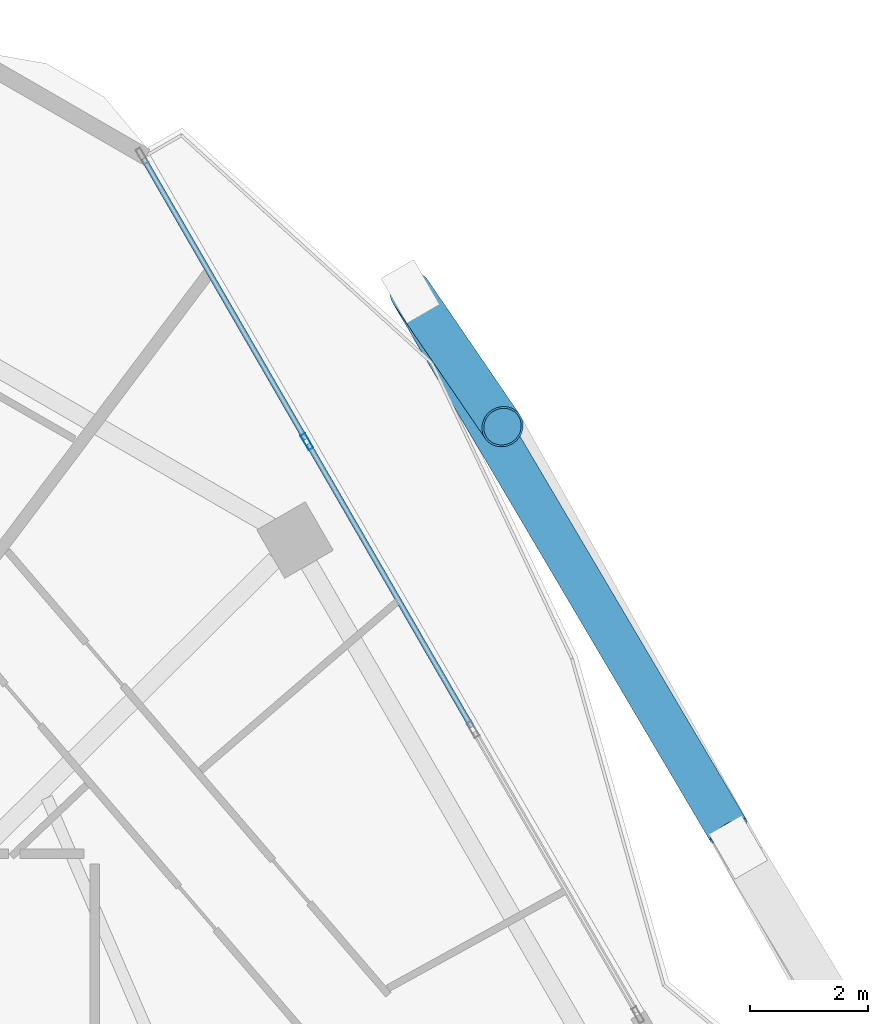
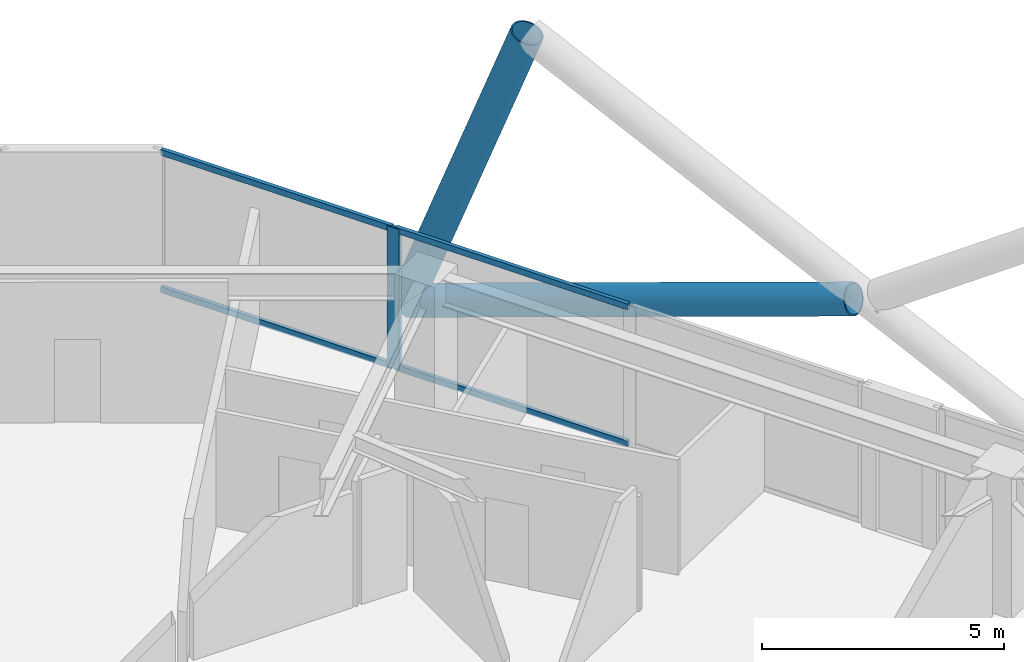
# One storey, part 19 of 29: 7 members, 1 element without a shape of its own.
"""IFC4 building model written with IfcOpenShell, lengths in metres."""

import ifcopenshell
import ifcopenshell.guid

model = None  # the IFC model being written
_history = None  # IfcOwnerHistory: only IFC2X3 demands one
_inside = {}  # id of a spatial element -> (the spatial element, [elements in it])
_under = {}  # id of a project, library or spatial element -> (it, [spatial elements below it])
_declared = {}  # id of a project -> (the project, [libraries it declares])
_typed = {}  # id of a type object -> (the type object, [elements of that type])
_made_of = {}  # id of a material, layer set ... -> (it, [elements and type objects made of it])


def new_model(schema):
    """Start an empty IFC model of exactly this schema.

    Asked for "IFC4X3", IfcOpenShell would pick the latest addendum, in which some entities
    have other attributes; the version numbers below select the first issue.
    IFC2X3 requires an IfcOwnerHistory on every rooted entity: one is made here for all.
    """
    global model, _history
    if schema == "IFC4X3":
        model = ifcopenshell.file(schema_version=(4, 3, 0, 0))
    else:
        model = ifcopenshell.file(schema=schema)
    _inside.clear()
    _under.clear()
    _declared.clear()
    _typed.clear()
    _made_of.clear()
    _history = None
    if model.schema == "IFC2X3":
        org = make("IfcOrganization", Name="unknown")
        user = make(
            "IfcPersonAndOrganization",
            ThePerson=make("IfcPerson", FamilyName="unknown"),
            TheOrganization=org,
        )
        app = make(
            "IfcApplication",
            ApplicationDeveloper=org,
            Version="unknown",
            ApplicationFullName="unknown",
            ApplicationIdentifier="unknown",
        )
        _history = make(
            "IfcOwnerHistory",
            OwningUser=user,
            OwningApplication=app,
            ChangeAction="ADDED",
            CreationDate=0,
        )
    return model


def make(cls, **values):
    """One entity of the class cls with the attributes given. An attribute that is None is left unset."""
    return model.create_entity(
        cls, **{name: value for name, value in values.items() if value is not None}
    )


def rooted(cls, **values):
    """An entity with a GlobalId (a new one), such as an element, a storey or a relation."""
    return make(cls, GlobalId=ifcopenshell.guid.new(), OwnerHistory=_history, **values)


def si_unit(unit_type, name, prefix=None):
    """IfcSIUnit, for example si_unit("LENGTHUNIT", "METRE", prefix="MILLI")."""
    return make("IfcSIUnit", UnitType=unit_type, Prefix=prefix, Name=name)


def assignment(units):
    """IfcUnitAssignment: the units of a project."""
    return None if units is None else make("IfcUnitAssignment", Units=units)


def point(xyz):
    """IfcCartesianPoint."""
    return None if xyz is None else make("IfcCartesianPoint", Coordinates=xyz)


def direction(xyz):
    """IfcDirection."""
    return None if xyz is None else make("IfcDirection", DirectionRatios=xyz)


def frame(location, z_axis=None, x_axis=None):
    """IfcAxis2Placement3D, a coordinate frame: its origin and axes. An axis left out is left unset."""
    return make(
        "IfcAxis2Placement3D",
        Location=point(location),
        Axis=direction(z_axis),
        RefDirection=direction(x_axis),
    )


def frame_2d(location, x_axis=None):
    """IfcAxis2Placement2D, a coordinate frame in the plane: its origin and x axis."""
    return make(
        "IfcAxis2Placement2D", Location=point(location), RefDirection=direction(x_axis)
    )


def origin():
    """The frame at (0, 0, 0) with its axes left unset."""
    return frame((0.0, 0.0, 0.0))


def origin_2d():
    """The frame at (0, 0) in the plane with its x axis left unset."""
    return frame_2d((0.0, 0.0))


def place(relative_to, where):
    """IfcLocalPlacement: puts the frame where relative to a parent placement (None: the world)."""
    return make(
        "IfcLocalPlacement", PlacementRelTo=relative_to, RelativePlacement=where
    )


def context(
    kind, dimensions, precision=None, world=None, true_north=None, identifier=None
):
    """IfcGeometricRepresentationContext, for example the 3D "Model" context."""
    return make(
        "IfcGeometricRepresentationContext",
        ContextIdentifier=identifier,
        ContextType=kind,
        CoordinateSpaceDimension=dimensions,
        Precision=precision,
        WorldCoordinateSystem=world,
        TrueNorth=true_north,
    )


def subcontext(parent, identifier, kind, view, scale=None):
    """IfcGeometricRepresentationSubContext, for example "Body" below "Model"."""
    return make(
        "IfcGeometricRepresentationSubContext",
        ContextIdentifier=identifier,
        ContextType=kind,
        ParentContext=parent,
        TargetScale=scale,
        TargetView=view,
    )


def project(units=None, contexts=None):
    """IfcProject with its units and contexts."""
    return rooted(
        "IfcProject",
        Name="project",
        RepresentationContexts=contexts,
        UnitsInContext=assignment(units),
    )


def spatial(cls, under=None, at=None, **own):
    """A site, building, storey or space (cls), placed at a placement, below another one or the project."""
    s = rooted(cls, ObjectPlacement=at, **own)
    if under is not None:
        _under.setdefault(under.id(), (under, []))[1].append(s)
    return s


def profile(cls, at=None, kind="AREA", **sizes):
    """A parametric profile (cls). Its sizes go by their IFC names, for example OverallWidth=200.0."""
    return make(cls, ProfileType=kind, Position=at, **sizes)


def hollow_rectangle(**sizes):
    """IfcRectangleHollowProfileDef."""
    return profile("IfcRectangleHollowProfileDef", **sizes)


def hollow_circle(**sizes):
    """IfcCircleHollowProfileDef."""
    return profile("IfcCircleHollowProfileDef", **sizes)


def extrude(swept, where, along, depth):
    """IfcExtrudedAreaSolid: the profile swept, set in the frame where, extruded along a direction by depth."""
    return make(
        "IfcExtrudedAreaSolid",
        SweptArea=swept,
        Position=where,
        ExtrudedDirection=direction(along),
        Depth=depth,
    )


def shape(context_of_items, identifier, shape_type, items):
    """IfcShapeRepresentation: the items that make up one representation, for example the "Body"."""
    return make(
        "IfcShapeRepresentation",
        ContextOfItems=context_of_items,
        RepresentationIdentifier=identifier,
        RepresentationType=shape_type,
        Items=items,
    )


def material(Name=None, Category=None):
    """IfcMaterial."""
    return make("IfcMaterial", Name=Name, Category=Category)


def material_profile(
    of_material, cross_section, Name=None, Category=None, Priority=None
):
    """IfcMaterialProfile: a cross section and its material."""
    return make(
        "IfcMaterialProfile",
        Name=Name,
        Material=of_material,
        Profile=cross_section,
        Priority=Priority,
        Category=Category,
    )


def profile_set(profiles, Name=None, composite=None):
    """IfcMaterialProfileSet."""
    return make(
        "IfcMaterialProfileSet",
        Name=Name,
        MaterialProfiles=profiles,
        CompositeProfile=composite,
    )


def made_of(thing, what):
    """Note that an element or type object is made of a material, layer set ...; save() writes the relation."""
    if what is not None:
        _made_of.setdefault(what.id(), (what, []))[1].append(thing)
    return thing


def type_object(cls, material=None, **own):
    """A type object (cls), such as IfcWallType, which elements share."""
    return made_of(rooted(cls, **own), material)


def element(
    cls,
    number,
    at=None,
    inside=None,
    cuts=None,
    type_object=None,
    material=None,
    context=None,
    identifier="Body",
    shape_type=None,
    held_by="IfcProductDefinitionShape",
    body=None,
    shapes=None,
    **own,
):
    """One element of the class cls, such as IfcWall. Its Tag is "e" and its number.

    at: its placement. inside: the storey or other place that contains it. cuts: it is an
    opening in that element (IfcRelVoidsElement). A single representation is given by context,
    identifier, shape_type and body (its items); several are given by shapes. held_by: the class
    of the entity that holds the representations. save() writes the other relations.
    """
    e = rooted(cls, Tag="e%d" % number, ObjectPlacement=at, **own)
    if body is not None:
        shapes = [shape(context, identifier, shape_type, body)]
    if shapes is not None:
        e.Representation = make(held_by, Representations=shapes)
    if inside is not None:
        _inside.setdefault(inside.id(), (inside, []))[1].append(e)
    if cuts is not None:
        rooted(
            "IfcRelVoidsElement", RelatingBuildingElement=cuts, RelatedOpeningElement=e
        )
    if type_object is not None:
        _typed.setdefault(type_object.id(), (type_object, []))[1].append(e)
    return made_of(e, material)


def aggregate(whole, parts):
    """IfcRelAggregates: a whole, such as a stair, and the parts it consists of."""
    return rooted("IfcRelAggregates", RelatingObject=whole, RelatedObjects=parts)


def save(model, path):
    """Write the relations noted so far, then the file.

    IfcRelAggregates (storeys below a building ...), IfcRelContainedInSpatialStructure (elements
    in a storey), IfcRelDefinesByType, IfcRelAssociatesMaterial and IfcRelDeclares: one each for
    every whole, place, type object, material and project.
    """
    for whole, parts in _under.values():
        aggregate(whole, parts)
    for where, things in _inside.values():
        rooted(
            "IfcRelContainedInSpatialStructure",
            RelatedElements=things,
            RelatingStructure=where,
        )
    for kind, things in _typed.values():
        rooted("IfcRelDefinesByType", RelatedObjects=things, RelatingType=kind)
    for what, things in _made_of.values():
        rooted("IfcRelAssociatesMaterial", RelatedObjects=things, RelatingMaterial=what)
    for by, libraries in _declared.values():
        rooted("IfcRelDeclares", RelatingContext=by, RelatedDefinitions=libraries)
    model.write(path)


model = new_model("IFC4")

# Units and contexts
model_context = context("Model", 3, precision=1e-05, world=origin(), true_north=direction((0.0, 1.0)))
body_context = subcontext(model_context, "Body", "Model", "MODEL_VIEW")
ifc_project = project(units=[si_unit("LENGTHUNIT", "METRE"), si_unit("AREAUNIT", "SQUARE_METRE"), si_unit("VOLUMEUNIT", "CUBIC_METRE"), si_unit("PLANEANGLEUNIT", "RADIAN"), si_unit("MASSUNIT", "GRAM", prefix="KILO")], contexts=[model_context])

# Site, building, storey
site_placement = place(None, origin())
site = spatial("IfcSite", under=ifc_project, at=site_placement, CompositionType="ELEMENT")
building_placement = place(site_placement, origin())
building = spatial("IfcBuilding", under=site, at=building_placement, Name="Zuhravey Tower", CompositionType="ELEMENT")
storey_placement = place(building_placement, frame((0.0, 0.0, 192.199951171875)))
storey = spatial("IfcBuildingStorey", under=building, at=storey_placement, Name="L48", CompositionType="ELEMENT", Elevation=192.199951171875)

# Curtain wall, members
ifc_material_1 = material(Name="Thermally broken anodised aluminium", Category="aluminium")
curtain_wall_type = type_object("IfcCurtainWallType", Name="Zone 1-2 Residential Curtain Wall CW3", PredefinedType="NOTDEFINED", material=ifc_material_1)
curtain_wall_placement = place(storey_placement, origin())
curtain_wall = element("IfcCurtainWall", 1, at=curtain_wall_placement, inside=storey, type_object=curtain_wall_type, Name="L48 CW3 CW-L48-F1-1", PredefinedType="NOTDEFINED")
ifc_material_2 = material(Name="Anodised aluminium", Category="aluminium")
ifc_material_profile_1 = material_profile(ifc_material_2, hollow_rectangle(XDim=0.090087890625, YDim=0.284912109375, WallThickness=0.0048828125, at=origin_2d()), Name="ALU-RHS-90x285x5")
ifc_profile_set_1 = profile_set([ifc_material_profile_1], Name="Anodised aluminium")
member_type_1 = type_object("IfcMemberType", Name="Curtain-Wall Mullion 90x180", PredefinedType="MULLION", material=ifc_profile_set_1)
member_1_placement = place(storey_placement, frame((55.42822265625, 52.71533203125, 0.0), z_axis=(0.0, 0.0, 1.0), x_axis=(0.866024234542, 0.500002025181, 0.0)))
member_1 = element("IfcMember", 2, at=member_1_placement, type_object=member_type_1, Name="CW3 mullion 2", PredefinedType="MULLION", context=body_context, shape_type="SweptSolid", body=[
    extrude(hollow_rectangle(XDim=0.090087890625, YDim=0.284912109375, WallThickness=0.0048828125, at=origin_2d()), origin(), (0.0, 0.0, 1.0), 3.550048828125),
])
ifc_material_profile_2 = material_profile(ifc_material_2, hollow_rectangle(XDim=0.090087890625, YDim=0.14990234375, WallThickness=0.0048828125, at=origin_2d()), Name="ALU-RHS-90x150x5")
ifc_profile_set_2 = profile_set([ifc_material_profile_2], Name="Anodised aluminium")
member_type_2 = type_object("IfcMemberType", Name="Curtain-Wall Transom 90x150", PredefinedType="USERDEFINED", material=ifc_profile_set_2)
member_2_placement = place(storey_placement, frame((52.65576171875, 57.517578125, 0.045166015625), z_axis=(0.499996545922, -0.866027397988, 0.0), x_axis=(0.866027397988, 0.499996545922, 0.0)))
member_2 = element("IfcMember", 3, at=member_2_placement, type_object=member_type_2, Name="CW3 transom 1.1", ObjectType="TRANSOM", PredefinedType="USERDEFINED", context=body_context, shape_type="SweptSolid", body=[
    extrude(hollow_rectangle(XDim=0.090087890625, YDim=0.14990234375, WallThickness=0.0048828125, at=origin_2d()), origin(), (0.0, 0.0, 1.0), 5.5),
])
member_3_placement = place(storey_placement, frame((52.65576171875, 57.517578125, 3.505126953125), z_axis=(0.499996545922, -0.866027397988, 0.0), x_axis=(0.866027397988, 0.499996545922, 0.0)))
member_3 = element("IfcMember", 4, at=member_3_placement, type_object=member_type_2, Name="CW3 transom 1.2", ObjectType="TRANSOM", PredefinedType="USERDEFINED", context=body_context, shape_type="SweptSolid", body=[
    extrude(hollow_rectangle(XDim=0.090087890625, YDim=0.14990234375, WallThickness=0.0048828125, at=origin_2d()), origin(), (0.0, 0.0, 1.0), 5.5),
])
member_4_placement = place(storey_placement, frame((55.45068359375, 52.676513671875, 0.045166015625), z_axis=(0.500017177289, -0.866015486245, 0.0), x_axis=(0.866015486245, 0.500017177289, 0.0)))
member_4 = element("IfcMember", 5, at=member_4_placement, type_object=member_type_2, Name="CW3 transom 2.1", ObjectType="TRANSOM", PredefinedType="USERDEFINED", context=body_context, shape_type="SweptSolid", body=[
    extrude(hollow_rectangle(XDim=0.090087890625, YDim=0.14990234375, WallThickness=0.0048828125, at=origin_2d()), origin(), (0.0, 0.0, 1.0), 5.545166015625),
])
member_5_placement = place(storey_placement, frame((55.45068359375, 52.676513671875, 3.505126953125), z_axis=(0.500017177289, -0.866015486245, 0.0), x_axis=(0.866015486245, 0.500017177289, 0.0)))
member_5 = element("IfcMember", 6, at=member_5_placement, type_object=member_type_2, Name="CW3 transom 2.2", ObjectType="TRANSOM", PredefinedType="USERDEFINED", context=body_context, shape_type="SweptSolid", body=[
    extrude(hollow_rectangle(XDim=0.090087890625, YDim=0.14990234375, WallThickness=0.0048828125, at=origin_2d()), origin(), (0.0, 0.0, 1.0), 5.545166015625),
])
aggregate(curtain_wall, [member_1, member_2, member_3, member_4, member_5])

# Members
ifc_material_3 = material(Name="Steel SM460", Category="steel")
ifc_material_profile_3 = material_profile(ifc_material_3, hollow_circle(Radius=0.355712890625, WallThickness=0.031982421875, at=origin_2d()), Name="CHS-711.2x32")
ifc_profile_set_3 = profile_set([ifc_material_profile_3], Name="Steel SM460")
member_type_3 = type_object("IfcMemberType", Name="Exoskeleton Zone 2 Diagrid CHS711x32", PredefinedType="BRACE", material=ifc_profile_set_3)
member_6_placement = place(storey_placement, frame((57.18408203125, 55.25537109375, -0.44384765625), z_axis=(0.193875986267, -0.283884421625, 0.9390536391), x_axis=(0.825795971565, 0.56396898261, 0.0)))
element("IfcMember", 7, at=member_6_placement, inside=storey, type_object=member_type_3, Name="L48 Face 1 Diagrid Brace 4", PredefinedType="BRACE", context=body_context, shape_type="SweptSolid", body=[
    extrude(hollow_circle(Radius=0.355712890625, WallThickness=0.031982421875, at=origin_2d()), origin(), (0.0, 0.0, 1.0), 8.050537109375),
])
member_7_placement = place(storey_placement, frame((57.202880859375, 55.222900390625, -0.448486328125), z_axis=(0.480155553577, -0.813530855236, 0.328052117731), x_axis=(0.861189399096, 0.508284191062, 0.0)))
element("IfcMember", 8, at=member_7_placement, inside=storey, type_object=member_type_3, Name="L48 Face 1 Split Diagrid Brace 3A", PredefinedType="BRACE", context=body_context, shape_type="SweptSolid", body=[
    extrude(hollow_circle(Radius=0.355712890625, WallThickness=0.031982421875, at=origin_2d()), origin(), (0.0, 0.0, 1.0), 11.190673828125),
])

save(model, "model.ifc")
